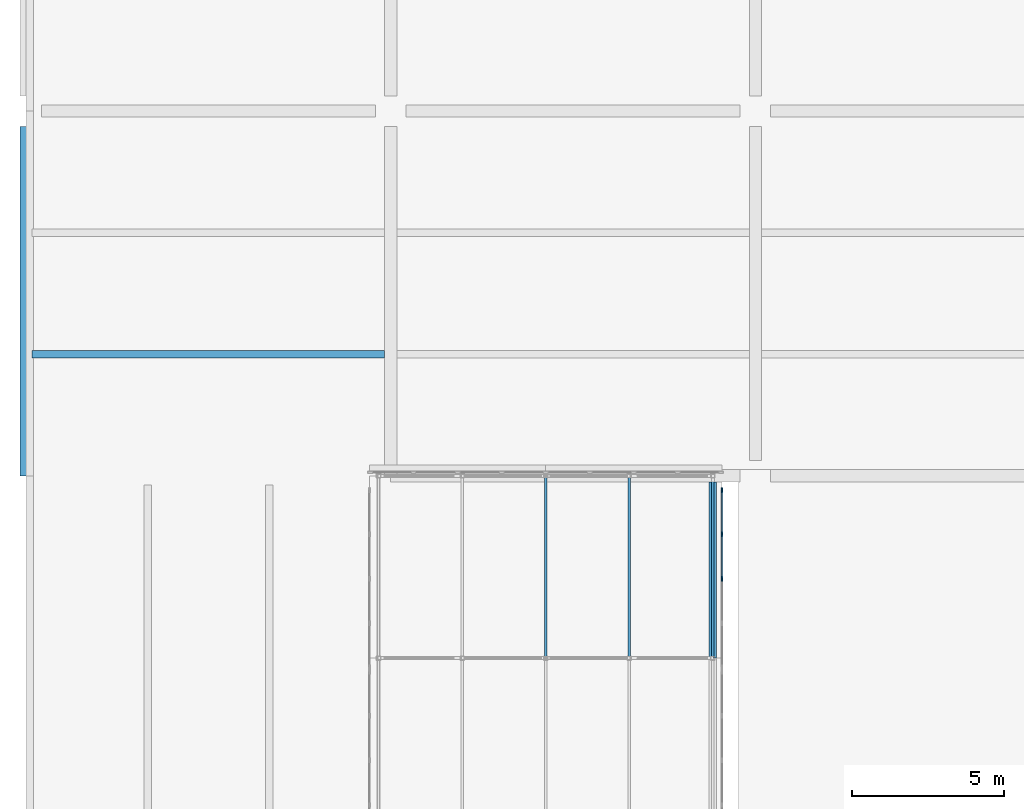
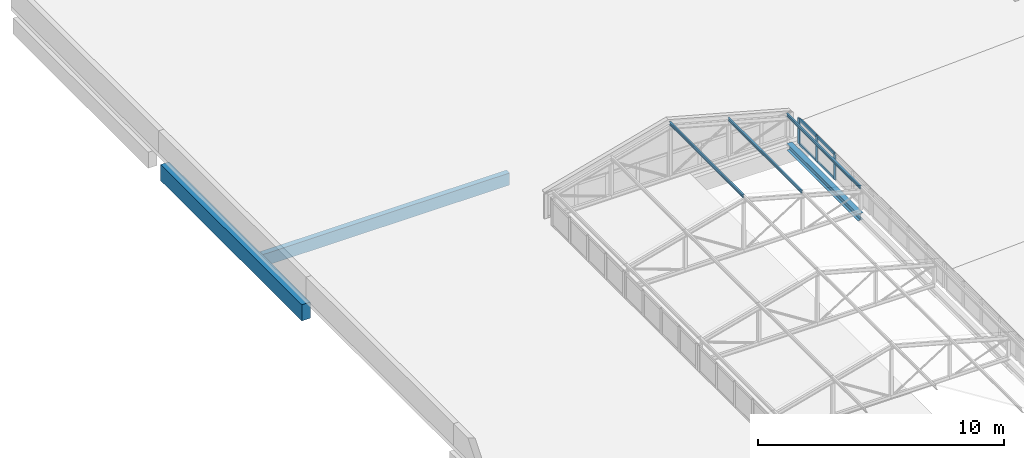
# One storey, part 59 of 94: 10 members, 3 beams, 1 element without a shape of its own.
"""IFC4 building model written with IfcOpenShell, lengths in metres."""

from ifc_helpers import new_model, si_unit, direction, frame, origin, origin_2d, place, context, subcontext, project, spatial, rectangle, i_section, extrude, material, layer, layer_set, material_profile, profile_set, type_object, element, aggregate, save


model = new_model("IFC4")

# Units and contexts
model_context = context("Model", 3, precision=1e-05, world=origin(), true_north=direction((0.0, 1.0)))
body_context = subcontext(model_context, "Body", "Model", "MODEL_VIEW")
ifc_project = project(units=[si_unit("LENGTHUNIT", "METRE"), si_unit("AREAUNIT", "SQUARE_METRE"), si_unit("VOLUMEUNIT", "CUBIC_METRE"), si_unit("PLANEANGLEUNIT", "RADIAN"), si_unit("MASSUNIT", "GRAM", prefix="KILO")], contexts=[model_context])

# Site, building, storey
site_placement = place(None, origin())
site = spatial("IfcSite", under=ifc_project, at=site_placement, CompositionType="ELEMENT")
building_placement = place(site_placement, origin())
building = spatial("IfcBuilding", under=site, at=building_placement, Name="Lilac Gate Convention Centre", CompositionType="ELEMENT")
storey_placement = place(building_placement, frame((0.0, 0.0, 21.0)))
storey = spatial("IfcBuildingStorey", under=building, at=storey_placement, Name="L04", CompositionType="ELEMENT", Elevation=21.0)

# Curtain wall, members
ifc_material_1 = material(Name="Aluminium framed double glazing", Category="aluminium")
ifc_layer = layer(ifc_material_1, 0.199951171875)
ifc_layer_set = layer_set([ifc_layer], Name="Aluminium framed double glazing")
curtain_wall_type = type_object("IfcCurtainWallType", Name="Unitised curtain wall 1500", PredefinedType="NOTDEFINED", material=ifc_layer_set)
curtain_wall_placement = place(storey_placement, origin())
curtain_wall = element("IfcCurtainWall", 1, at=curtain_wall_placement, inside=storey, type_object=curtain_wall_type, Name="Lantern clerestory E 32", PredefinedType="NOTDEFINED")
ifc_material_2 = material(Name="Aluminium alloy 6063", Category="aluminium")
ifc_material_profile_1 = material_profile(ifc_material_2, rectangle(XDim=0.06005859375, YDim=0.159912109375, at=origin_2d()), Name="Curtain wall mullion 60 x 160")
ifc_profile_set_1 = profile_set([ifc_material_profile_1], Name="Aluminium alloy 6063")
member_type_1 = type_object("IfcMemberType", Name="Curtain wall mullion 60 x 160", PredefinedType="MULLION", material=ifc_profile_set_1)
member_1_placement = place(storey_placement, frame((28.89990234375, 218.612548828125, 0.0), z_axis=(0.0, 0.0, 1.0), x_axis=(-1.0, 0.0, 0.0)))
member_1 = element("IfcMember", 2, at=member_1_placement, type_object=member_type_1, Name="CW mullion 3", PredefinedType="MULLION", context=body_context, shape_type="SweptSolid", body=[
    extrude(rectangle(XDim=0.06005859375, YDim=0.159912109375, at=origin_2d()), origin(), (0.0, 0.0, 1.0), 1.272216796875),
])
member_2_placement = place(storey_placement, frame((28.89990234375, 220.081298828125, 0.0), z_axis=(0.0, 0.0, 1.0), x_axis=(-1.0, 0.0, 0.0)))
member_2 = element("IfcMember", 3, at=member_2_placement, type_object=member_type_1, Name="CW mullion 4", PredefinedType="MULLION", context=body_context, shape_type="SweptSolid", body=[
    extrude(rectangle(XDim=0.06005859375, YDim=0.159912109375, at=origin_2d()), origin(), (0.0, 0.0, 1.0), 1.272216796875),
])
member_3_placement = place(storey_placement, frame((28.89990234375, 221.52001953125, 0.0), z_axis=(0.0, 0.0, 1.0), x_axis=(-1.0, 0.0, 0.0)))
member_3 = element("IfcMember", 4, at=member_3_placement, type_object=member_type_1, Name="CW mullion 5", PredefinedType="MULLION", context=body_context, shape_type="SweptSolid", body=[
    extrude(rectangle(XDim=0.06005859375, YDim=0.159912109375, at=origin_2d()), origin(), (0.0, 0.0, 1.0), 1.272216796875),
])
ifc_material_profile_2 = material_profile(ifc_material_2, rectangle(XDim=0.06005859375, YDim=0.1201171875, at=origin_2d()), Name="Curtain wall transom 60 x 120")
ifc_profile_set_2 = profile_set([ifc_material_profile_2], Name="Aluminium alloy 6063")
member_type_2 = type_object("IfcMemberType", Name="Curtain wall transom 60 x 120", PredefinedType="USERDEFINED", material=ifc_profile_set_2)
member_4_placement = place(storey_placement, frame((28.89990234375, 218.642578125, 0.030029296875), z_axis=(0.0, 1.0, 0.0), x_axis=(-1.0, 0.0, 0.0)))
member_4 = element("IfcMember", 5, at=member_4_placement, type_object=member_type_2, Name="CW transom 3.1", ObjectType="TRANSOM", PredefinedType="USERDEFINED", context=body_context, shape_type="SweptSolid", body=[
    extrude(rectangle(XDim=0.06005859375, YDim=0.1201171875, at=origin_2d()), origin(), (0.0, 0.0, 1.0), 1.40869140625),
])
member_5_placement = place(storey_placement, frame((28.89990234375, 218.642578125, 1.2421875), z_axis=(0.0, 1.0, 0.0), x_axis=(-1.0, 0.0, 0.0)))
member_5 = element("IfcMember", 6, at=member_5_placement, type_object=member_type_2, Name="CW transom 3.2", ObjectType="TRANSOM", PredefinedType="USERDEFINED", context=body_context, shape_type="SweptSolid", body=[
    extrude(rectangle(XDim=0.06005859375, YDim=0.1201171875, at=origin_2d()), origin(), (0.0, 0.0, 1.0), 1.40869140625),
])
member_6_placement = place(storey_placement, frame((28.89990234375, 220.111328125, 0.030029296875), z_axis=(0.0, 1.0, 0.0), x_axis=(-1.0, 0.0, 0.0)))
member_6 = element("IfcMember", 7, at=member_6_placement, type_object=member_type_2, Name="CW transom 4.1", ObjectType="TRANSOM", PredefinedType="USERDEFINED", context=body_context, shape_type="SweptSolid", body=[
    extrude(rectangle(XDim=0.06005859375, YDim=0.1201171875, at=origin_2d()), origin(), (0.0, 0.0, 1.0), 1.378662109375),
])
member_7_placement = place(storey_placement, frame((28.89990234375, 220.111328125, 1.2421875), z_axis=(0.0, 1.0, 0.0), x_axis=(-1.0, 0.0, 0.0)))
member_7 = element("IfcMember", 8, at=member_7_placement, type_object=member_type_2, Name="CW transom 4.2", ObjectType="TRANSOM", PredefinedType="USERDEFINED", context=body_context, shape_type="SweptSolid", body=[
    extrude(rectangle(XDim=0.06005859375, YDim=0.1201171875, at=origin_2d()), origin(), (0.0, 0.0, 1.0), 1.378662109375),
])
aggregate(curtain_wall, [member_1, member_2, member_3, member_4, member_5, member_6, member_7])

# Members
ifc_material_3 = material(Name="Steel Q355B", Category="steel")
ifc_material_profile_3 = material_profile(ifc_material_3, i_section(OverallWidth=0.074951171875, OverallDepth=0.14990234375, WebThickness=0.0048828125, FlangeThickness=0.007080078125, FilletRadius=0.008056640625, at=origin_2d()), Name="HN150x75x5x7")
ifc_profile_set_3 = profile_set([ifc_material_profile_3], Name="Steel Q355B")
member_type_3 = type_object("IfcMemberType", Name="Lantern purlin HN150x75x5x7", PredefinedType="PURLIN", material=ifc_profile_set_3)
for number, where, z_axis, x_axis, name in (
    (9, (23.10009765625, 216.0, 2.779052734375), (0.0, 1.0, 0.0), (-1.0, 0.0, 0.0), "LP1 lantern purlin bay 32 line 3"),
    (10, (25.85009765625, 216.0, 2.029052734375), (0.0, 1.0, 0.0), (-1.0, 0.0, 0.0), "LP1 lantern purlin bay 32 line 4"),
    (11, (28.60009765625, 216.0, 1.279052734375), (0.0, 1.0, 0.0), (-1.0, 0.0, 0.0), "LP1 lantern purlin bay 32 line 5"),
):
    element("IfcMember", number, at=place(storey_placement, frame(where, z_axis=z_axis, x_axis=x_axis)), inside=storey, type_object=member_type_3, Name=name, PredefinedType="PURLIN", context=body_context, shape_type="SweptSolid", body=[
        extrude(i_section(OverallWidth=0.074951171875, OverallDepth=0.14990234375, WebThickness=0.0048828125, FlangeThickness=0.007080078125, FilletRadius=0.008056640625, at=origin_2d()), origin(), (0.0, 0.0, 1.0), 6.0),
    ])

# Beams
ifc_material_profile_4 = material_profile(ifc_material_3, i_section(OverallWidth=0.25, OverallDepth=0.340087890625, WebThickness=0.009033203125, FlangeThickness=0.013916015625, FilletRadius=0.012939453125, at=origin_2d()), Name="HM340x250x9x14")
ifc_profile_set_4 = profile_set([ifc_material_profile_4], Name="Steel Q355B")
beam_type_1 = type_object("IfcBeamType", Name="Steel edge beam HM340x250x9x14", PredefinedType="BEAM", material=ifc_profile_set_4)
beam_1_placement = place(storey_placement, frame((28.60009765625, 216.0, -0.169921875), z_axis=(0.0, 1.0, 0.0), x_axis=(-1.0, 0.0, 0.0)))
element("IfcBeam", 12, at=beam_1_placement, inside=storey, type_object=beam_type_1, Name="LE1 lantern edge beam 17", PredefinedType="BEAM", context=body_context, shape_type="SweptSolid", body=[
    extrude(i_section(OverallWidth=0.25, OverallDepth=0.340087890625, WebThickness=0.009033203125, FlangeThickness=0.013916015625, FilletRadius=0.012939453125, at=origin_2d()), origin(), (0.0, 0.0, 1.0), 5.800048828125),
])
ifc_material_4 = material(Name="Concrete C40", Category="concrete")
ifc_material_profile_5 = material_profile(ifc_material_4, rectangle(XDim=0.39990234375, YDim=0.800048828125, at=origin_2d()), Name="RC 400x800")
ifc_profile_set_5 = profile_set([ifc_material_profile_5], Name="Concrete C40")
beam_type_2 = type_object("IfcBeamType", Name="Tower primary beam 400x800 C40", PredefinedType="BEAM", material=ifc_profile_set_5)
beam_2_placement = place(storey_placement, frame((6.0, 222.0, -0.60009765625), z_axis=(0.0, 1.0, 0.0), x_axis=(-1.0, 0.0, 0.0)))
element("IfcBeam", 13, at=beam_2_placement, inside=storey, type_object=beam_type_2, Name="RB3 L04 1/S-1/T", PredefinedType="BEAM", context=body_context, shape_type="SweptSolid", body=[
    extrude(rectangle(XDim=0.39990234375, YDim=0.800048828125, at=origin_2d()), origin(), (0.0, 0.0, 1.0), 11.5),
])
ifc_material_profile_6 = material_profile(ifc_material_4, rectangle(XDim=0.25, YDim=0.60009765625, at=origin_2d()), Name="RC 250x600")
ifc_profile_set_6 = profile_set([ifc_material_profile_6], Name="Concrete C40")
beam_type_3 = type_object("IfcBeamType", Name="Tower secondary beam 250x600 C40", PredefinedType="BEAM", material=ifc_profile_set_6)
beam_3_placement = place(storey_placement, frame((6.199951171875, 226.0, -0.5), z_axis=(1.0, 0.0, 0.0), x_axis=(0.0, 1.0, 0.0)))
element("IfcBeam", 14, at=beam_3_placement, inside=storey, type_object=beam_type_3, Name="RB4 L04 bay 1/S", PredefinedType="BEAM", context=body_context, shape_type="SweptSolid", body=[
    extrude(rectangle(XDim=0.25, YDim=0.60009765625, at=origin_2d()), origin(), (0.0, 0.0, 1.0), 11.60009765625),
])

save(model, "model.ifc")
